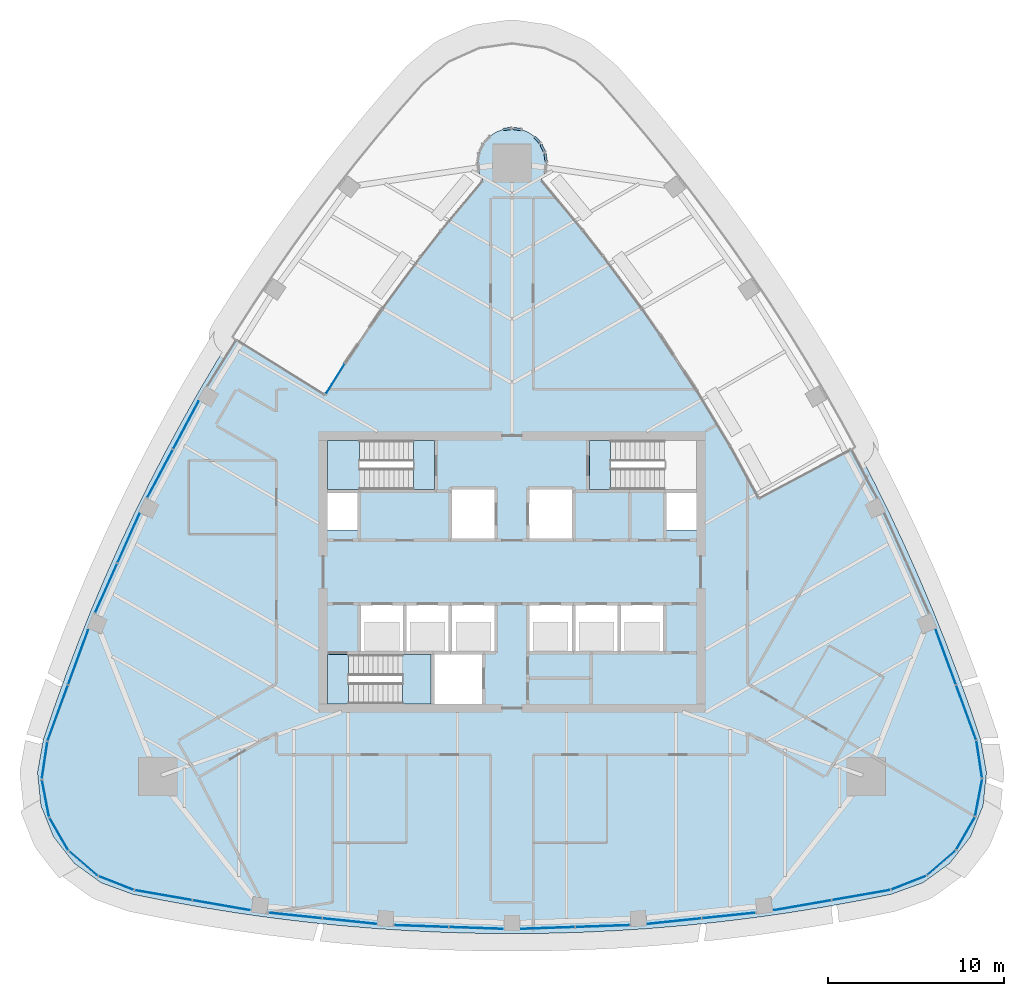
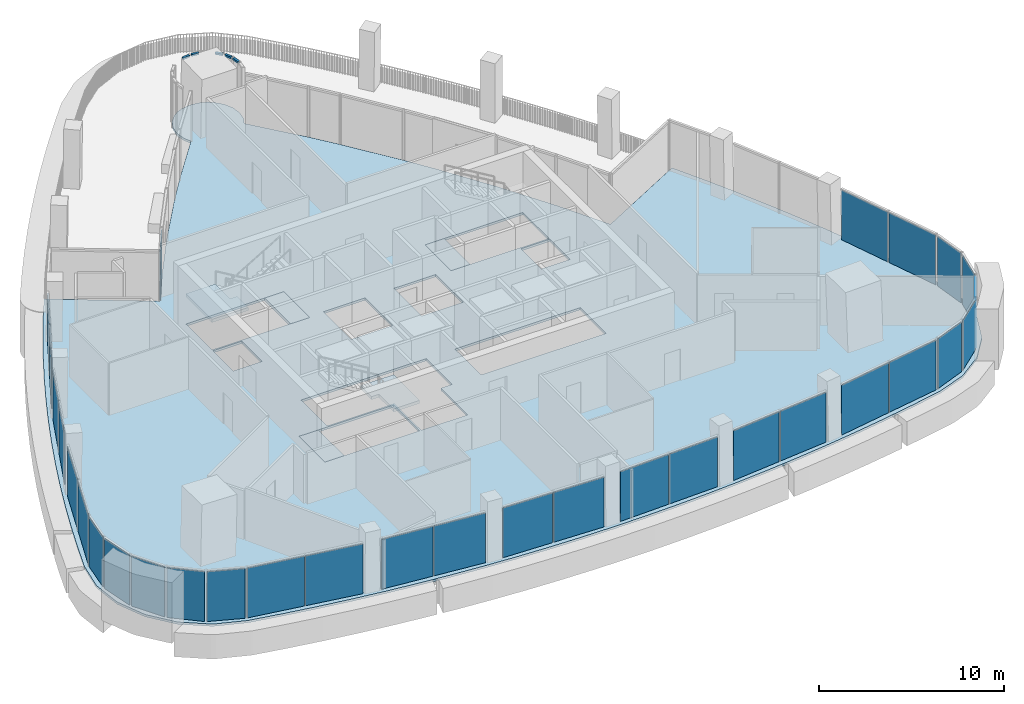
# One storey, part 7 of 18: 31 plates, 6 slabs, 5 members, 28 elements without a shape of their own.
"""IFC4 building model written with IfcOpenShell, lengths in metres."""

from ifc_helpers import new_model, si_unit, direction, frame, origin, origin_2d, place, context, subcontext, project, spatial, polyline, rectangle, outline, extrude, material, layer, layer_set, material_profile, profile_set, type_object, element, aggregate, save


model = new_model("IFC4")

# Units and contexts
model_context = context("Model", 3, precision=1e-05, world=origin(), true_north=direction((0.0, 1.0)))
body_context = subcontext(model_context, "Body", "Model", "MODEL_VIEW")
ifc_project = project(units=[si_unit("LENGTHUNIT", "METRE"), si_unit("AREAUNIT", "SQUARE_METRE"), si_unit("VOLUMEUNIT", "CUBIC_METRE"), si_unit("PLANEANGLEUNIT", "RADIAN"), si_unit("MASSUNIT", "GRAM", prefix="KILO")], contexts=[model_context])

# Site, building, storey
site_placement = place(None, origin())
site = spatial("IfcSite", under=ifc_project, at=site_placement, CompositionType="ELEMENT")
building_placement = place(site_placement, origin())
building = spatial("IfcBuilding", under=site, at=building_placement, Name="Sierra Prisma Convention Tower", CompositionType="ELEMENT")
storey_placement = place(building_placement, frame((0.0, 0.0, 307.0)))
storey = spatial("IfcBuildingStorey", under=building, at=storey_placement, Name="L70", CompositionType="ELEMENT", Elevation=307.0)

# Curtain wall, member
ifc_material_1 = material(Name="Aluminium and glass curtain wall", Category="aluminium")
ifc_layer_1 = layer(ifc_material_1, 0.179931640625)
ifc_layer_set_1 = layer_set([ifc_layer_1], Name="CW-6 Terrace recess curtain wall")
curtain_wall_type_1 = type_object("IfcCurtainWallType", Name="CW-6 Terrace recess curtain wall", PredefinedType="NOTDEFINED", material=ifc_layer_set_1)
curtain_wall_1_placement = place(storey_placement, origin())
curtain_wall_1 = element("IfcCurtainWall", 1, at=curtain_wall_1_placement, inside=storey, type_object=curtain_wall_type_1, Name="CW-6 R10 L70", PredefinedType="NOTDEFINED")
ifc_material_2 = material(Name="Aluminium 6063-T6 bronze anodised", Category="aluminium")
ifc_material_profile = material_profile(ifc_material_2, rectangle(XDim=0.139892578125, YDim=0.1201171875, at=origin_2d()), Name="ALU TRANSOM 120x140")
ifc_profile_set = profile_set([ifc_material_profile], Name="Aluminium 6063-T6 bronze anodised")
member_type = type_object("IfcMemberType", Name="CW transom bronze", PredefinedType="USERDEFINED", material=ifc_profile_set)
member_1_placement = place(storey_placement, frame((1.9453125, 23.369140625, 3.280029296875), z_axis=(-0.146854530217, 0.98915810008, 0.0), x_axis=(-0.98915810008, -0.146854530217, 0.0)))
member_1 = element("IfcMember", 2, at=member_1_placement, type_object=member_type, Name="CW-6 transom R10.1", ObjectType="TRANSOM", PredefinedType="USERDEFINED", context=body_context, shape_type="SweptSolid", body=[
    extrude(rectangle(XDim=0.139892578125, YDim=0.1201171875, at=origin_2d()), origin(), (0.0, 0.0, 1.0), 0.433837890625),
])
aggregate(curtain_wall_1, [member_1])

curtain_wall_2_placement = place(storey_placement, origin())
curtain_wall_2 = element("IfcCurtainWall", 3, at=curtain_wall_2_placement, inside=storey, type_object=curtain_wall_type_1, Name="CW-6 R11 L70", PredefinedType="NOTDEFINED")
member_2_placement = place(storey_placement, frame((1.841552734375, 23.930908203125, 3.280029296875), z_axis=(-0.427747600509, 0.903898218971, 0.0), x_axis=(-0.903898218971, -0.427747600509, 0.0)))
member_2 = element("IfcMember", 4, at=member_2_placement, type_object=member_type, Name="CW-6 transom R11.1", ObjectType="TRANSOM", PredefinedType="USERDEFINED", context=body_context, shape_type="SweptSolid", body=[
    extrude(rectangle(XDim=0.139892578125, YDim=0.1201171875, at=origin_2d()), origin(), (0.0, 0.0, 1.0), 0.433837890625),
])
aggregate(curtain_wall_2, [member_2])

curtain_wall_3_placement = place(storey_placement, origin())
curtain_wall_3 = element("IfcCurtainWall", 5, at=curtain_wall_3_placement, inside=storey, type_object=curtain_wall_type_1, Name="CW-6 R12 L70", PredefinedType="NOTDEFINED")
member_3_placement = place(storey_placement, frame((1.5791015625, 24.438232421875, 3.280029296875), z_axis=(-0.671664192487, 0.740855729904, 0.0), x_axis=(-0.740855729904, -0.671664192487, 0.0)))
member_3 = element("IfcMember", 6, at=member_3_placement, type_object=member_type, Name="CW-6 transom R12.1", ObjectType="TRANSOM", PredefinedType="USERDEFINED", context=body_context, shape_type="SweptSolid", body=[
    extrude(rectangle(XDim=0.139892578125, YDim=0.1201171875, at=origin_2d()), origin(), (0.0, 0.0, 1.0), 0.43408203125),
])
aggregate(curtain_wall_3, [member_3])

curtain_wall_4_placement = place(storey_placement, origin())
curtain_wall_4 = element("IfcCurtainWall", 7, at=curtain_wall_4_placement, inside=storey, type_object=curtain_wall_type_1, Name="CW-6 R15 L70", PredefinedType="NOTDEFINED")
member_4_placement = place(storey_placement, frame((0.49853515625, 25.181640625, 3.280029296875), z_axis=(-0.989239687059, 0.146303935515, 0.0), x_axis=(-0.146303935515, -0.989239687059, 0.0)))
member_4 = element("IfcMember", 8, at=member_4_placement, type_object=member_type, Name="CW-6 transom R15.1", ObjectType="TRANSOM", PredefinedType="USERDEFINED", context=body_context, shape_type="SweptSolid", body=[
    extrude(rectangle(XDim=0.139892578125, YDim=0.1201171875, at=origin_2d()), origin(), (0.0, 0.0, 1.0), 0.433837890625),
])
aggregate(curtain_wall_4, [member_4])

curtain_wall_5_placement = place(storey_placement, origin())
curtain_wall_5 = element("IfcCurtainWall", 9, at=curtain_wall_5_placement, inside=storey, type_object=curtain_wall_type_1, Name="CW-6 R16 L70", PredefinedType="NOTDEFINED")
member_5_placement = place(storey_placement, frame((-0.0693359375, 25.2451171875, 3.280029296875), z_axis=(-0.989239687059, -0.146303935515, 0.0), x_axis=(0.146303935515, -0.989239687059, 0.0)))
member_5 = element("IfcMember", 10, at=member_5_placement, type_object=member_type, Name="CW-6 transom R16.1", ObjectType="TRANSOM", PredefinedType="USERDEFINED", context=body_context, shape_type="SweptSolid", body=[
    extrude(rectangle(XDim=0.139892578125, YDim=0.1201171875, at=origin_2d()), origin(), (0.0, 0.0, 1.0), 0.433837890625),
])
aggregate(curtain_wall_5, [member_5])

# Curtain wall, plates
ifc_material_3 = material(Name="Aluminium and glass curtain wall", Category="aluminium")
ifc_layer_2 = layer(ifc_material_3, 0.179931640625)
ifc_layer_set_2 = layer_set([ifc_layer_2], Name="CW-1 Plain shaft curtain wall")
curtain_wall_type_2 = type_object("IfcCurtainWallType", Name="CW-1 Plain shaft curtain wall", PredefinedType="NOTDEFINED", material=ifc_layer_set_2)
curtain_wall_6_placement = place(storey_placement, origin())
curtain_wall_6 = element("IfcCurtainWall", 11, at=curtain_wall_6_placement, inside=storey, type_object=curtain_wall_type_2, Name="CW-1 NW4 L70", PredefinedType="NOTDEFINED")
ifc_material_4 = material(Name="Tinted glass bronze-grey IGU", Category="glass")
ifc_layer_3 = layer(ifc_material_4, 0.028076171875)
ifc_layer_set_3 = layer_set([ifc_layer_3], Name="CW-1 glass panel")
plate_type_1 = type_object("IfcPlateType", Name="CW-1 glass panel", PredefinedType="CURTAIN_PANEL", material=ifc_layer_set_3)
plate_1_placement = place(storey_placement, frame((-18.562744140625, 8.35595703125, 0.0), z_axis=(0.0, 0.0, 1.0), x_axis=(-0.469832813639, -0.882755417558, 0.0)))
plate_1 = element("IfcPlate", 12, at=plate_1_placement, type_object=plate_type_1, Name="CW-1 panel NW4.1", PredefinedType="CURTAIN_PANEL", context=body_context, shape_type="SweptSolid", body=[
    extrude(rectangle(XDim=3.052490234375, YDim=0.028076171875, at=origin_2d()), origin(), (0.0, 0.0, 1.0), 3.280029296875),
])
plate_2_placement = place(storey_placement, frame((-20.02978515625, 5.599609375, 0.0), z_axis=(0.0, 0.0, 1.0), x_axis=(-0.469832813639, -0.882755417558, 0.0)))
plate_2 = element("IfcPlate", 13, at=plate_2_placement, type_object=plate_type_1, Name="CW-1 panel NW4.2", PredefinedType="CURTAIN_PANEL", context=body_context, shape_type="SweptSolid", body=[
    extrude(rectangle(XDim=3.052490234375, YDim=0.028076171875, at=origin_2d()), origin(), (0.0, 0.0, 1.0), 3.280029296875),
])
aggregate(curtain_wall_6, [plate_1, plate_2])

curtain_wall_7_placement = place(storey_placement, origin())
curtain_wall_7 = element("IfcCurtainWall", 14, at=curtain_wall_7_placement, inside=storey, type_object=curtain_wall_type_2, Name="CW-1 NW5 L70", PredefinedType="NOTDEFINED")
plate_3_placement = place(storey_placement, frame((-21.828125, 1.921630859375, 0.0), z_axis=(0.0, 0.0, 1.0), x_axis=(-0.407857767545, -0.913045476115, 0.0)))
plate_3 = element("IfcPlate", 15, at=plate_3_placement, type_object=plate_type_1, Name="CW-1 panel NW5.1", PredefinedType="CURTAIN_PANEL", context=body_context, shape_type="SweptSolid", body=[
    extrude(rectangle(XDim=3.03662109375, YDim=0.028076171875, at=origin_2d()), origin(), (0.0, 0.0, 1.0), 3.280029296875),
])
plate_4_placement = place(storey_placement, frame((-23.09521484375, -0.914794921875, 0.0), z_axis=(0.0, 0.0, 1.0), x_axis=(-0.407857767545, -0.913045476115, 0.0)))
plate_4 = element("IfcPlate", 16, at=plate_4_placement, type_object=plate_type_1, Name="CW-1 panel NW5.2", PredefinedType="CURTAIN_PANEL", context=body_context, shape_type="SweptSolid", body=[
    extrude(rectangle(XDim=3.03662109375, YDim=0.028076171875, at=origin_2d()), origin(), (0.0, 0.0, 1.0), 3.280029296875),
])
aggregate(curtain_wall_7, [plate_3, plate_4])

curtain_wall_8_placement = place(storey_placement, origin())
curtain_wall_8 = element("IfcCurtainWall", 17, at=curtain_wall_8_placement, inside=storey, type_object=curtain_wall_type_2, Name="CW-1 NW6 L70", PredefinedType="NOTDEFINED")
plate_5_placement = place(storey_placement, frame((-24.687744140625, -4.845703125, 0.0), z_axis=(0.0, 0.0, 1.0), x_axis=(-0.343941973502, -0.938990904569, 0.0)))
plate_5 = element("IfcPlate", 18, at=plate_5_placement, type_object=plate_type_1, Name="CW-1 panel NW6.1", PredefinedType="CURTAIN_PANEL", context=body_context, shape_type="SweptSolid", body=[
    extrude(rectangle(XDim=3.283447265625, YDim=0.028076171875, at=origin_2d()), origin(), (0.0, 0.0, 1.0), 3.280029296875),
])
plate_6_placement = place(storey_placement, frame((-25.841064453125, -7.994384765625, 0.0), z_axis=(0.0, 0.0, 1.0), x_axis=(-0.343941973502, -0.938990904569, 0.0)))
plate_6 = element("IfcPlate", 19, at=plate_6_placement, type_object=plate_type_1, Name="CW-1 panel NW6.2", PredefinedType="CURTAIN_PANEL", context=body_context, shape_type="SweptSolid", body=[
    extrude(rectangle(XDim=3.283447265625, YDim=0.028076171875, at=origin_2d()), origin(), (0.0, 0.0, 1.0), 3.280029296875),
])
aggregate(curtain_wall_8, [plate_5, plate_6])

# Curtain wall, plate
curtain_wall_9_placement = place(storey_placement, origin())
curtain_wall_9 = element("IfcCurtainWall", 20, at=curtain_wall_9_placement, inside=storey, type_object=curtain_wall_type_2, Name="CW-1 SW1 L70", PredefinedType="NOTDEFINED")
plate_7_placement = place(storey_placement, frame((-26.5927734375, -10.68994140625, 0.0), z_axis=(0.0, 0.0, 1.0), x_axis=(-0.148025770247, -0.98898350408, 0.0)))
plate_7 = element("IfcPlate", 21, at=plate_7_placement, type_object=plate_type_1, Name="CW-1 panel SW1.1", PredefinedType="CURTAIN_PANEL", context=body_context, shape_type="SweptSolid", body=[
    extrude(rectangle(XDim=2.060546875, YDim=0.028076171875, at=origin_2d()), origin(), (0.0, 0.0, 1.0), 3.280029296875),
])
aggregate(curtain_wall_9, [plate_7])

curtain_wall_10_placement = place(storey_placement, origin())
curtain_wall_10 = element("IfcCurtainWall", 22, at=curtain_wall_10_placement, inside=storey, type_object=curtain_wall_type_2, Name="CW-1 SW2 L70", PredefinedType="NOTDEFINED")
plate_8_placement = place(storey_placement, frame((-26.550537109375, -12.859130859375, 0.0), z_axis=(0.0, 0.0, 1.0), x_axis=(0.186416571714, -0.98247079437, 0.0)))
plate_8 = element("IfcPlate", 23, at=plate_8_placement, type_object=plate_type_1, Name="CW-1 panel SW2.1", PredefinedType="CURTAIN_PANEL", context=body_context, shape_type="SweptSolid", body=[
    extrude(rectangle(XDim=2.060546875, YDim=0.028076171875, at=origin_2d()), origin(), (0.0, 0.0, 1.0), 3.280029296875),
])
aggregate(curtain_wall_10, [plate_8])

curtain_wall_11_placement = place(storey_placement, origin())
curtain_wall_11 = element("IfcCurtainWall", 24, at=curtain_wall_11_placement, inside=storey, type_object=curtain_wall_type_2, Name="CW-1 SW3 L70", PredefinedType="NOTDEFINED")
plate_9_placement = place(storey_placement, frame((-25.795166015625, -14.892822265625, 0.0), z_axis=(0.0, 0.0, 1.0), x_axis=(0.5, -0.866025403784, 0.0)))
plate_9 = element("IfcPlate", 25, at=plate_9_placement, type_object=plate_type_1, Name="CW-1 panel SW3.1", PredefinedType="CURTAIN_PANEL", context=body_context, shape_type="SweptSolid", body=[
    extrude(rectangle(XDim=2.060546875, YDim=0.028076171875, at=origin_2d()), origin(), (0.0, 0.0, 1.0), 3.280029296875),
])
aggregate(curtain_wall_11, [plate_9])

curtain_wall_12_placement = place(storey_placement, origin())
curtain_wall_12 = element("IfcCurtainWall", 26, at=curtain_wall_12_placement, inside=storey, type_object=curtain_wall_type_2, Name="CW-1 SW4 L70", PredefinedType="NOTDEFINED")
plate_10_placement = place(storey_placement, frame((-24.411376953125, -16.56396484375, 0.0), z_axis=(0.0, 0.0, 1.0), x_axis=(0.757636380544, -0.652676883976, 0.0)))
plate_10 = element("IfcPlate", 27, at=plate_10_placement, type_object=plate_type_1, Name="CW-1 panel SW4.1", PredefinedType="CURTAIN_PANEL", context=body_context, shape_type="SweptSolid", body=[
    extrude(rectangle(XDim=2.060546875, YDim=0.028076171875, at=origin_2d()), origin(), (0.0, 0.0, 1.0), 3.280029296875),
])
aggregate(curtain_wall_12, [plate_10])

curtain_wall_13_placement = place(storey_placement, origin())
curtain_wall_13 = element("IfcCurtainWall", 28, at=curtain_wall_13_placement, inside=storey, type_object=curtain_wall_type_2, Name="CW-1 SW5 L70", PredefinedType="NOTDEFINED")
plate_11_placement = place(storey_placement, frame((-22.553955078125, -17.68505859375, 0.0), z_axis=(0.0, 0.0, 1.0), x_axis=(0.930497723581, -0.366297674592, 0.0)))
plate_11 = element("IfcPlate", 29, at=plate_11_placement, type_object=plate_type_1, Name="CW-1 panel SW5.1", PredefinedType="CURTAIN_PANEL", context=body_context, shape_type="SweptSolid", body=[
    extrude(rectangle(XDim=2.060546875, YDim=0.028076171875, at=origin_2d()), origin(), (0.0, 0.0, 1.0), 3.280029296875),
])
aggregate(curtain_wall_13, [plate_11])

# Curtain wall, plates
curtain_wall_14_placement = place(storey_placement, origin())
curtain_wall_14 = element("IfcCurtainWall", 30, at=curtain_wall_14_placement, inside=storey, type_object=curtain_wall_type_2, Name="CW-1 S1 L70", PredefinedType="NOTDEFINED")
plate_12_placement = place(storey_placement, frame((-19.843994140625, -18.3818359375, 0.0), z_axis=(0.0, 0.0, 1.0), x_axis=(0.98516096403, -0.171632965804, 0.0)))
plate_12 = element("IfcPlate", 31, at=plate_12_placement, type_object=plate_type_1, Name="CW-1 panel S1.1", PredefinedType="CURTAIN_PANEL", context=body_context, shape_type="SweptSolid", body=[
    extrude(rectangle(XDim=3.283447265625, YDim=0.028076171875, at=origin_2d()), origin(), (0.0, 0.0, 1.0), 3.280029296875),
])
plate_13_placement = place(storey_placement, frame((-16.540283203125, -18.95751953125, 0.0), z_axis=(0.0, 0.0, 1.0), x_axis=(0.98516096403, -0.171632965804, 0.0)))
plate_13 = element("IfcPlate", 32, at=plate_13_placement, type_object=plate_type_1, Name="CW-1 panel S1.2", PredefinedType="CURTAIN_PANEL", context=body_context, shape_type="SweptSolid", body=[
    extrude(rectangle(XDim=3.283447265625, YDim=0.028076171875, at=origin_2d()), origin(), (0.0, 0.0, 1.0), 3.280029296875),
])
aggregate(curtain_wall_14, [plate_12, plate_13])

curtain_wall_15_placement = place(storey_placement, origin())
curtain_wall_15 = element("IfcCurtainWall", 33, at=curtain_wall_15_placement, inside=storey, type_object=curtain_wall_type_2, Name="CW-1 S2 L70", PredefinedType="NOTDEFINED")
plate_14_placement = place(storey_placement, frame((-12.33984375, -19.54345703125, 0.0), z_axis=(0.0, 0.0, 1.0), x_axis=(0.994649460898, -0.103307550233, 0.0)))
plate_14 = element("IfcPlate", 34, at=plate_14_placement, type_object=plate_type_1, Name="CW-1 panel S2.1", PredefinedType="CURTAIN_PANEL", context=body_context, shape_type="SweptSolid", body=[
    extrude(rectangle(XDim=3.03662109375, YDim=0.028076171875, at=origin_2d()), origin(), (0.0, 0.0, 1.0), 3.280029296875),
])
plate_15_placement = place(storey_placement, frame((-9.25, -19.864501953125, 0.0), z_axis=(0.0, 0.0, 1.0), x_axis=(0.994649460898, -0.103307550233, 0.0)))
plate_15 = element("IfcPlate", 35, at=plate_15_placement, type_object=plate_type_1, Name="CW-1 panel S2.2", PredefinedType="CURTAIN_PANEL", context=body_context, shape_type="SweptSolid", body=[
    extrude(rectangle(XDim=3.03662109375, YDim=0.028076171875, at=origin_2d()), origin(), (0.0, 0.0, 1.0), 3.280029296875),
])
aggregate(curtain_wall_15, [plate_14, plate_15])

curtain_wall_16_placement = place(storey_placement, origin())
curtain_wall_16 = element("IfcCurtainWall", 36, at=curtain_wall_16_placement, inside=storey, type_object=curtain_wall_type_2, Name="CW-1 S3 L70", PredefinedType="NOTDEFINED")
plate_16_placement = place(storey_placement, frame((-5.16552734375, -20.14599609375, 0.0), z_axis=(0.0, 0.0, 1.0), x_axis=(0.999405023753, -0.034490556636, 0.0)))
plate_16 = element("IfcPlate", 37, at=plate_16_placement, type_object=plate_type_1, Name="CW-1 panel S3.1", PredefinedType="CURTAIN_PANEL", context=body_context, shape_type="SweptSolid", body=[
    extrude(rectangle(XDim=3.052490234375, YDim=0.028076171875, at=origin_2d()), origin(), (0.0, 0.0, 1.0), 3.280029296875),
])
plate_17_placement = place(storey_placement, frame((-2.044921875, -20.253662109375, 0.0), z_axis=(0.0, 0.0, 1.0), x_axis=(0.999405023753, -0.034490556636, 0.0)))
plate_17 = element("IfcPlate", 38, at=plate_17_placement, type_object=plate_type_1, Name="CW-1 panel S3.2", PredefinedType="CURTAIN_PANEL", context=body_context, shape_type="SweptSolid", body=[
    extrude(rectangle(XDim=3.052490234375, YDim=0.028076171875, at=origin_2d()), origin(), (0.0, 0.0, 1.0), 3.280029296875),
])
aggregate(curtain_wall_16, [plate_16, plate_17])

curtain_wall_17_placement = place(storey_placement, origin())
curtain_wall_17 = element("IfcCurtainWall", 39, at=curtain_wall_17_placement, inside=storey, type_object=curtain_wall_type_2, Name="CW-1 S4 L70", PredefinedType="NOTDEFINED")
plate_18_placement = place(storey_placement, frame((2.044921875, -20.253662109375, 0.0), z_axis=(0.0, 0.0, 1.0), x_axis=(0.999405023753, 0.034490556636, 0.0)))
plate_18 = element("IfcPlate", 40, at=plate_18_placement, type_object=plate_type_1, Name="CW-1 panel S4.1", PredefinedType="CURTAIN_PANEL", context=body_context, shape_type="SweptSolid", body=[
    extrude(rectangle(XDim=3.052490234375, YDim=0.028076171875, at=origin_2d()), origin(), (0.0, 0.0, 1.0), 3.280029296875),
])
plate_19_placement = place(storey_placement, frame((5.16552734375, -20.14599609375, 0.0), z_axis=(0.0, 0.0, 1.0), x_axis=(0.999405023753, 0.034490556636, 0.0)))
plate_19 = element("IfcPlate", 41, at=plate_19_placement, type_object=plate_type_1, Name="CW-1 panel S4.2", PredefinedType="CURTAIN_PANEL", context=body_context, shape_type="SweptSolid", body=[
    extrude(rectangle(XDim=3.052490234375, YDim=0.028076171875, at=origin_2d()), origin(), (0.0, 0.0, 1.0), 3.280029296875),
])
aggregate(curtain_wall_17, [plate_18, plate_19])

curtain_wall_18_placement = place(storey_placement, origin())
curtain_wall_18 = element("IfcCurtainWall", 42, at=curtain_wall_18_placement, inside=storey, type_object=curtain_wall_type_2, Name="CW-1 S5 L70", PredefinedType="NOTDEFINED")
plate_20_placement = place(storey_placement, frame((9.25, -19.864501953125, 0.0), z_axis=(0.0, 0.0, 1.0), x_axis=(0.994649460898, 0.103307550233, 0.0)))
plate_20 = element("IfcPlate", 43, at=plate_20_placement, type_object=plate_type_1, Name="CW-1 panel S5.1", PredefinedType="CURTAIN_PANEL", context=body_context, shape_type="SweptSolid", body=[
    extrude(rectangle(XDim=3.03662109375, YDim=0.028076171875, at=origin_2d()), origin(), (0.0, 0.0, 1.0), 3.280029296875),
])
plate_21_placement = place(storey_placement, frame((12.33984375, -19.54345703125, 0.0), z_axis=(0.0, 0.0, 1.0), x_axis=(0.994649460898, 0.103307550233, 0.0)))
plate_21 = element("IfcPlate", 44, at=plate_21_placement, type_object=plate_type_1, Name="CW-1 panel S5.2", PredefinedType="CURTAIN_PANEL", context=body_context, shape_type="SweptSolid", body=[
    extrude(rectangle(XDim=3.03662109375, YDim=0.028076171875, at=origin_2d()), origin(), (0.0, 0.0, 1.0), 3.280029296875),
])
aggregate(curtain_wall_18, [plate_20, plate_21])

curtain_wall_19_placement = place(storey_placement, origin())
curtain_wall_19 = element("IfcCurtainWall", 45, at=curtain_wall_19_placement, inside=storey, type_object=curtain_wall_type_2, Name="CW-1 S6 L70", PredefinedType="NOTDEFINED")
plate_22_placement = place(storey_placement, frame((16.540283203125, -18.95751953125, 0.0), z_axis=(0.0, 0.0, 1.0), x_axis=(0.98516096403, 0.171632965804, 0.0)))
plate_22 = element("IfcPlate", 46, at=plate_22_placement, type_object=plate_type_1, Name="CW-1 panel S6.1", PredefinedType="CURTAIN_PANEL", context=body_context, shape_type="SweptSolid", body=[
    extrude(rectangle(XDim=3.283447265625, YDim=0.028076171875, at=origin_2d()), origin(), (0.0, 0.0, 1.0), 3.280029296875),
])
plate_23_placement = place(storey_placement, frame((19.843994140625, -18.3818359375, 0.0), z_axis=(0.0, 0.0, 1.0), x_axis=(0.98516096403, 0.171632965804, 0.0)))
plate_23 = element("IfcPlate", 47, at=plate_23_placement, type_object=plate_type_1, Name="CW-1 panel S6.2", PredefinedType="CURTAIN_PANEL", context=body_context, shape_type="SweptSolid", body=[
    extrude(rectangle(XDim=3.283447265625, YDim=0.028076171875, at=origin_2d()), origin(), (0.0, 0.0, 1.0), 3.280029296875),
])
aggregate(curtain_wall_19, [plate_22, plate_23])

# Curtain wall, plate
curtain_wall_20_placement = place(storey_placement, origin())
curtain_wall_20 = element("IfcCurtainWall", 48, at=curtain_wall_20_placement, inside=storey, type_object=curtain_wall_type_2, Name="CW-1 SE1 L70", PredefinedType="NOTDEFINED")
plate_24_placement = place(storey_placement, frame((22.553955078125, -17.68505859375, 0.0), z_axis=(0.0, 0.0, 1.0), x_axis=(0.930497723581, 0.366297674592, 0.0)))
plate_24 = element("IfcPlate", 49, at=plate_24_placement, type_object=plate_type_1, Name="CW-1 panel SE1.1", PredefinedType="CURTAIN_PANEL", context=body_context, shape_type="SweptSolid", body=[
    extrude(rectangle(XDim=2.060546875, YDim=0.028076171875, at=origin_2d()), origin(), (0.0, 0.0, 1.0), 3.280029296875),
])
aggregate(curtain_wall_20, [plate_24])

curtain_wall_21_placement = place(storey_placement, origin())
curtain_wall_21 = element("IfcCurtainWall", 50, at=curtain_wall_21_placement, inside=storey, type_object=curtain_wall_type_2, Name="CW-1 SE2 L70", PredefinedType="NOTDEFINED")
plate_25_placement = place(storey_placement, frame((24.411376953125, -16.56396484375, 0.0), z_axis=(0.0, 0.0, 1.0), x_axis=(0.757636380544, 0.652676883976, 0.0)))
plate_25 = element("IfcPlate", 51, at=plate_25_placement, type_object=plate_type_1, Name="CW-1 panel SE2.1", PredefinedType="CURTAIN_PANEL", context=body_context, shape_type="SweptSolid", body=[
    extrude(rectangle(XDim=2.060546875, YDim=0.028076171875, at=origin_2d()), origin(), (0.0, 0.0, 1.0), 3.280029296875),
])
aggregate(curtain_wall_21, [plate_25])

curtain_wall_22_placement = place(storey_placement, origin())
curtain_wall_22 = element("IfcCurtainWall", 52, at=curtain_wall_22_placement, inside=storey, type_object=curtain_wall_type_2, Name="CW-1 SE3 L70", PredefinedType="NOTDEFINED")
plate_26_placement = place(storey_placement, frame((25.795166015625, -14.892822265625, 0.0), z_axis=(0.0, 0.0, 1.0), x_axis=(0.5, 0.866025403784, 0.0)))
plate_26 = element("IfcPlate", 53, at=plate_26_placement, type_object=plate_type_1, Name="CW-1 panel SE3.1", PredefinedType="CURTAIN_PANEL", context=body_context, shape_type="SweptSolid", body=[
    extrude(rectangle(XDim=2.060546875, YDim=0.028076171875, at=origin_2d()), origin(), (0.0, 0.0, 1.0), 3.280029296875),
])
aggregate(curtain_wall_22, [plate_26])

curtain_wall_23_placement = place(storey_placement, origin())
curtain_wall_23 = element("IfcCurtainWall", 54, at=curtain_wall_23_placement, inside=storey, type_object=curtain_wall_type_2, Name="CW-1 SE4 L70", PredefinedType="NOTDEFINED")
plate_27_placement = place(storey_placement, frame((26.550537109375, -12.859130859375, 0.0), z_axis=(0.0, 0.0, 1.0), x_axis=(0.186416571714, 0.98247079437, 0.0)))
plate_27 = element("IfcPlate", 55, at=plate_27_placement, type_object=plate_type_1, Name="CW-1 panel SE4.1", PredefinedType="CURTAIN_PANEL", context=body_context, shape_type="SweptSolid", body=[
    extrude(rectangle(XDim=2.060546875, YDim=0.028076171875, at=origin_2d()), origin(), (0.0, 0.0, 1.0), 3.280029296875),
])
aggregate(curtain_wall_23, [plate_27])

curtain_wall_24_placement = place(storey_placement, origin())
curtain_wall_24 = element("IfcCurtainWall", 56, at=curtain_wall_24_placement, inside=storey, type_object=curtain_wall_type_2, Name="CW-1 SE5 L70", PredefinedType="NOTDEFINED")
plate_28_placement = place(storey_placement, frame((26.5927734375, -10.68994140625, 0.0), z_axis=(0.0, 0.0, 1.0), x_axis=(-0.148025770247, 0.98898350408, 0.0)))
plate_28 = element("IfcPlate", 57, at=plate_28_placement, type_object=plate_type_1, Name="CW-1 panel SE5.1", PredefinedType="CURTAIN_PANEL", context=body_context, shape_type="SweptSolid", body=[
    extrude(rectangle(XDim=2.060546875, YDim=0.028076171875, at=origin_2d()), origin(), (0.0, 0.0, 1.0), 3.280029296875),
])
aggregate(curtain_wall_24, [plate_28])

# Curtain wall, plates
curtain_wall_25_placement = place(storey_placement, origin())
curtain_wall_25 = element("IfcCurtainWall", 58, at=curtain_wall_25_placement, inside=storey, type_object=curtain_wall_type_2, Name="CW-1 NE1 L70", PredefinedType="NOTDEFINED")
plate_29_placement = place(storey_placement, frame((25.841064453125, -7.994384765625, 0.0), z_axis=(0.0, 0.0, 1.0), x_axis=(-0.343941973502, 0.938990904569, 0.0)))
plate_29 = element("IfcPlate", 59, at=plate_29_placement, type_object=plate_type_1, Name="CW-1 panel NE1.1", PredefinedType="CURTAIN_PANEL", context=body_context, shape_type="SweptSolid", body=[
    extrude(rectangle(XDim=3.283447265625, YDim=0.028076171875, at=origin_2d()), origin(), (0.0, 0.0, 1.0), 3.280029296875),
])
plate_30_placement = place(storey_placement, frame((24.687744140625, -4.845703125, 0.0), z_axis=(0.0, 0.0, 1.0), x_axis=(-0.343941973502, 0.938990904569, 0.0)))
plate_30 = element("IfcPlate", 60, at=plate_30_placement, type_object=plate_type_1, Name="CW-1 panel NE1.2", PredefinedType="CURTAIN_PANEL", context=body_context, shape_type="SweptSolid", body=[
    extrude(rectangle(XDim=3.283447265625, YDim=0.028076171875, at=origin_2d()), origin(), (0.0, 0.0, 1.0), 3.280029296875),
])
aggregate(curtain_wall_25, [plate_29, plate_30])

# Curtain wall, plate
curtain_wall_26_placement = place(storey_placement, origin())
curtain_wall_26 = element("IfcCurtainWall", 61, at=curtain_wall_26_placement, inside=storey, type_object=curtain_wall_type_1, Name="CW-6 R28 L70", PredefinedType="NOTDEFINED")
ifc_material_5 = material(Name="Tinted glass bronze-grey IGU", Category="glass")
ifc_layer_4 = layer(ifc_material_5, 0.028076171875)
ifc_layer_set_4 = layer_set([ifc_layer_4], Name="CW-6 glass panel")
plate_type_2 = type_object("IfcPlateType", Name="CW-6 glass panel", PredefinedType="CURTAIN_PANEL", material=ifc_layer_set_4)
plate_31_placement = place(storey_placement, frame((-10.06103515625, 10.98876953125, 0.0), z_axis=(0.0, 0.0, 1.0), x_axis=(-0.532229867956, -0.846599886402, 0.0)))
plate_31 = element("IfcPlate", 62, at=plate_31_placement, type_object=plate_type_2, Name="CW-6 panel R28.1", PredefinedType="CURTAIN_PANEL", context=body_context, shape_type="SweptSolid", body=[
    extrude(rectangle(XDim=2.033935546875, YDim=0.028076171875, at=origin_2d()), origin(), (0.0, 0.0, 1.0), 3.219970703125),
])
aggregate(curtain_wall_26, [plate_31])

# Slab
ifc_material_6 = material(Name="Concrete C35/45", Category="concrete")
ifc_layer_5 = layer(ifc_material_6, 0.14990234375)
ifc_layer_set_5 = layer_set([ifc_layer_5], Name="Composite floor slab 150")
slab_type_1 = type_object("IfcSlabType", Name="Composite floor slab 150", PredefinedType="FLOOR", material=ifc_layer_set_5)
slab_1_placement = place(storey_placement, frame((0.0, 0.0, -0.14990234375)))
element("IfcSlab", 63, at=slab_1_placement, inside=storey, type_object=slab_type_1, Name="Floor slab L70 floor", PredefinedType="FLOOR", context=body_context, shape_type="SweptSolid", body=[
    extrude(outline(polyline([(19.72900390625, 6.828125), (19.568603515625, 7.124755859375), (14.03955078125, 4.179931640625), (12.405029296875, 7.162109375), (10.486328125, 10.34521484375), (8.449462890625, 13.453857421875), (7.387451171875, 14.97900390625), (5.17822265625, 17.9677734375), (4.031982421875, 19.4306640625), (1.666015625, 22.2802734375), (1.871337890625, 22.732177734375), (1.95556640625, 23.2998046875), (1.871337890625, 23.86767578125), (1.6259765625, 24.386474609375), (1.24072265625, 24.8115234375), (0.921875, 25.024658203125), (0.567626953125, 25.17138671875), (0.0, 25.255615234375), (-0.567626953125, 25.17138671875), (-0.921875, 25.024658203125), (-1.24072265625, 24.8115234375), (-1.6259765625, 24.386474609375), (-1.871337890625, 23.86767578125), (-1.95556640625, 23.2998046875), (-1.871337890625, 22.732177734375), (-1.666015625, 22.2802734375), (-4.031982421875, 19.4306640625), (-5.17822265625, 17.9677734375), (-7.387451171875, 14.97900390625), (-9.482421875, 11.9091796875), (-10.6396484375, 10.068603515625), (-15.954833984375, 13.384521484375), (-16.813720703125, 11.989013671875), (-17.81787109375, 10.287109375), (-18.789794921875, 8.566650390625), (-19.72900390625, 6.828125), (-20.635498046875, 5.072265625), (-21.5087890625, 3.2998046875), (-22.348388671875, 1.510986328125), (-23.154296875, -0.293212890625), (-23.92626953125, -2.1123046875), (-24.663818359375, -3.945556640625), (-25.366455078125, -5.792236328125), (-26.03466796875, -7.65185546875), (-26.66748046875, -9.52392578125), (-27.002197265625, -11.400390625), (-26.805419921875, -13.29638671875), (-26.092041015625, -15.064208984375), (-24.917724609375, -16.56591796875), (-23.374267578125, -17.684326171875), (-21.58154296875, -18.332763671875), (-19.64404296875, -18.720703125), (-17.699462890625, -19.072021484375), (-15.748779296875, -19.38671875), (-13.792236328125, -19.66455078125), (-11.8310546875, -19.90576171875), (-9.86572265625, -20.10986328125), (-7.896728515625, -20.27685546875), (-5.925048828125, -20.406982421875), (-3.951171875, -20.5), (-1.975830078125, -20.5556640625), (0.0, -20.57421875), (1.975830078125, -20.5556640625), (3.951171875, -20.5), (5.925048828125, -20.406982421875), (7.896728515625, -20.27685546875), (9.86572265625, -20.10986328125), (11.8310546875, -19.90576171875), (13.792236328125, -19.66455078125), (15.748779296875, -19.38671875), (17.699462890625, -19.072021484375), (19.64404296875, -18.720703125), (21.58154296875, -18.332763671875), (23.374267578125, -17.684326171875), (24.917724609375, -16.56591796875), (26.092041015625, -15.064208984375), (26.805419921875, -13.29638671875), (27.002197265625, -11.400390625), (26.66748046875, -9.52392578125), (26.03466796875, -7.65185546875), (25.366455078125, -5.792236328125), (24.663818359375, -3.945556640625), (23.92626953125, -2.1123046875), (23.154296875, -0.293212890625), (22.348388671875, 1.510986328125), (21.5087890625, 3.2998046875), (20.635498046875, 5.072265625), (19.72900390625, 6.828125)]), holes=[polyline([(-4.60009765625, -4.699951171875), (-4.60009765625, -7.5), (-10.5, -7.5), (-10.5, -4.699951171875), (-4.60009765625, -4.699951171875)]), polyline([(-4.5, -7.5), (-4.5, -4.60009765625), (-6.10009765625, -4.60009765625), (-8.699951171875, -4.60009765625), (-8.699951171875, -1.800048828125), (-6.10009765625, -1.800048828125), (-3.5, -1.800048828125), (-0.89990234375, -1.800048828125), (-0.89990234375, -4.60009765625), (-1.60009765625, -4.60009765625), (-1.60009765625, -7.5), (-4.5, -7.5)]), polyline([(-8.699951171875, 2.39990234375), (-10.5, 2.39990234375), (-10.5, 4.60009765625), (-8.699951171875, 4.60009765625), (-8.699951171875, 2.39990234375)]), polyline([(-4.39990234375, 4.699951171875), (-10.5, 4.699951171875), (-10.5, 7.5), (-4.39990234375, 7.5), (-4.39990234375, 4.699951171875)]), polyline([(3.5, -1.800048828125), (6.10009765625, -1.800048828125), (8.699951171875, -1.800048828125), (8.699951171875, -4.60009765625), (6.10009765625, -4.60009765625), (3.5, -4.60009765625), (0.89990234375, -4.60009765625), (0.89990234375, -1.800048828125), (3.5, -1.800048828125)]), polyline([(-0.89990234375, 1.800048828125), (-3.5, 1.800048828125), (-3.5, 4.800048828125), (-0.89990234375, 4.800048828125), (-0.89990234375, 1.800048828125)]), polyline([(3.5, 1.800048828125), (0.89990234375, 1.800048828125), (0.89990234375, 4.800048828125), (3.5, 4.800048828125), (3.5, 1.800048828125)]), polyline([(10.5, 2.39990234375), (8.699951171875, 2.39990234375), (8.699951171875, 4.60009765625), (10.5, 4.60009765625), (10.5, 2.39990234375)]), polyline([(10.5, 4.699951171875), (4.39990234375, 4.699951171875), (4.39990234375, 7.5), (10.5, 7.5), (10.5, 4.699951171875)])]), origin(), (0.0, 0.0, 1.0), 0.14990234375),
])

# Stair, slab
ifc_material_7 = material(Name="Concrete C30/37", Category="concrete")
stair_type = type_object("IfcStairType", Name="Stair dog-leg 1200 RC", PredefinedType="HALF_TURN_STAIR", material=ifc_material_7)
stair_1_placement = place(storey_placement, origin())
stair_1 = element("IfcStair", 64, at=stair_1_placement, inside=storey, type_object=stair_type, Name="L70 S1", PredefinedType="HALF_TURN_STAIR")
ifc_material_8 = material(Name="Concrete C35/45", Category="concrete")
ifc_layer_6 = layer(ifc_material_8, 0.199951171875)
ifc_layer_set_6 = layer_set([ifc_layer_6], Name="Stair landing slab")
slab_type_2 = type_object("IfcSlabType", Name="Stair landing slab", PredefinedType="LANDING", material=ifc_layer_set_6)
slab_2_placement = place(storey_placement, frame((0.0, 0.0, 1.800048828125)))
slab_2 = element("IfcSlab", 65, at=slab_2_placement, type_object=slab_type_2, Name="S1 landing 1", PredefinedType="LANDING", context=body_context, shape_type="SweptSolid", body=[
    extrude(outline(polyline([(-4.60009765625, -4.699951171875), (-4.60009765625, -7.5), (-6.221923828125, -7.5), (-6.221923828125, -5.89990234375), (-6.669921875, -5.89990234375), (-6.669921875, -4.699951171875), (-4.60009765625, -4.699951171875)])), origin(), (0.0, 0.0, 1.0), 0.199951171875),
])
aggregate(stair_1, [slab_2])

# Slab
slab_3_placement = place(storey_placement, frame((0.0, 0.0, -0.199951171875)))
element("IfcSlab", 66, at=slab_3_placement, inside=storey, type_object=slab_type_2, Name="S1 floor landing L70", PredefinedType="LANDING", context=body_context, shape_type="SweptSolid", body=[
    extrude(outline(polyline([(-10.5, -7.5), (-9.298095703125, -7.5), (-9.298095703125, -4.699951171875), (-10.5, -4.699951171875), (-10.5, -7.5)])), origin(), (0.0, 0.0, 1.0), 0.199951171875),
])

# Stair, slab
stair_2_placement = place(storey_placement, origin())
stair_2 = element("IfcStair", 67, at=stair_2_placement, inside=storey, type_object=stair_type, Name="L70 S3", PredefinedType="HALF_TURN_STAIR")
slab_4_placement = place(storey_placement, frame((0.0, 0.0, 1.800048828125)))
slab_4 = element("IfcSlab", 68, at=slab_4_placement, type_object=slab_type_2, Name="S3 landing 1", PredefinedType="LANDING", context=body_context, shape_type="SweptSolid", body=[
    extrude(outline(polyline([(-8.22998046875, 5.89990234375), (-8.22998046875, 4.699951171875), (-10.5, 4.699951171875), (-10.5, 7.5), (-8.677978515625, 7.5), (-8.677978515625, 5.89990234375), (-8.22998046875, 5.89990234375)])), origin(), (0.0, 0.0, 1.0), 0.199951171875),
])
aggregate(stair_2, [slab_4])

# Slabs
slab_5_placement = place(storey_placement, frame((0.0, 0.0, -0.199951171875)))
element("IfcSlab", 69, at=slab_5_placement, inside=storey, type_object=slab_type_2, Name="S3 floor landing L70", PredefinedType="LANDING", context=body_context, shape_type="SweptSolid", body=[
    extrude(outline(polyline([(-4.39990234375, 7.5), (-5.60205078125, 7.5), (-5.60205078125, 4.699951171875), (-4.39990234375, 4.699951171875), (-4.39990234375, 7.5)])), origin(), (0.0, 0.0, 1.0), 0.199951171875),
])
slab_6_placement = place(storey_placement, frame((0.0, 0.0, -0.199951171875)))
element("IfcSlab", 70, at=slab_6_placement, inside=storey, type_object=slab_type_2, Name="S4 floor landing L70", PredefinedType="LANDING", context=body_context, shape_type="SweptSolid", body=[
    extrude(outline(polyline([(4.39990234375, 4.699951171875), (5.60205078125, 4.699951171875), (5.60205078125, 7.5), (4.39990234375, 7.5), (4.39990234375, 4.699951171875)])), origin(), (0.0, 0.0, 1.0), 0.199951171875),
])

save(model, "model.ifc")
